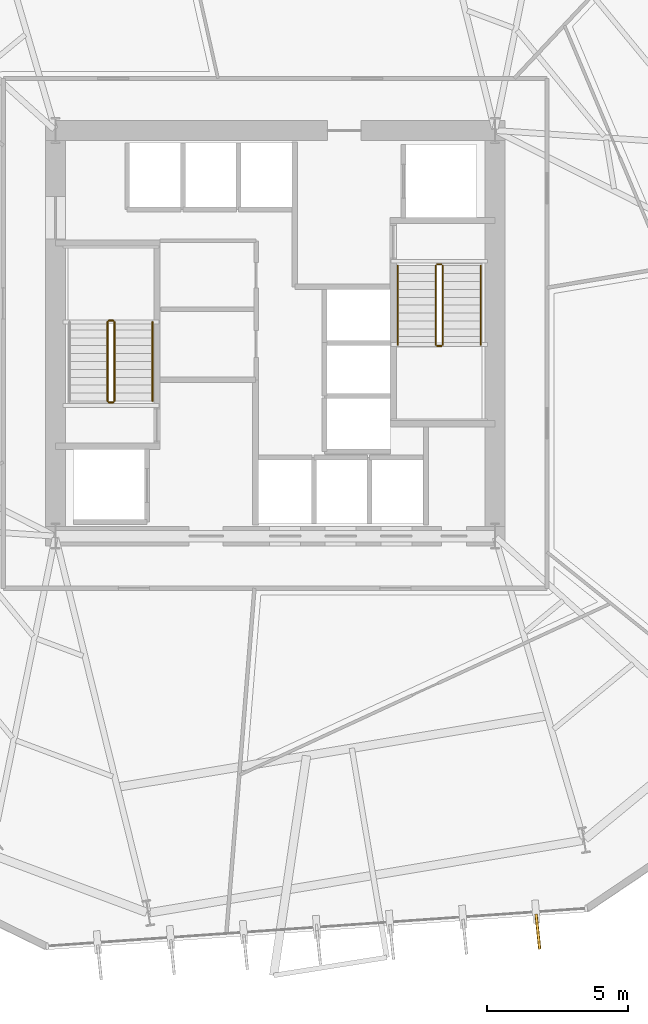
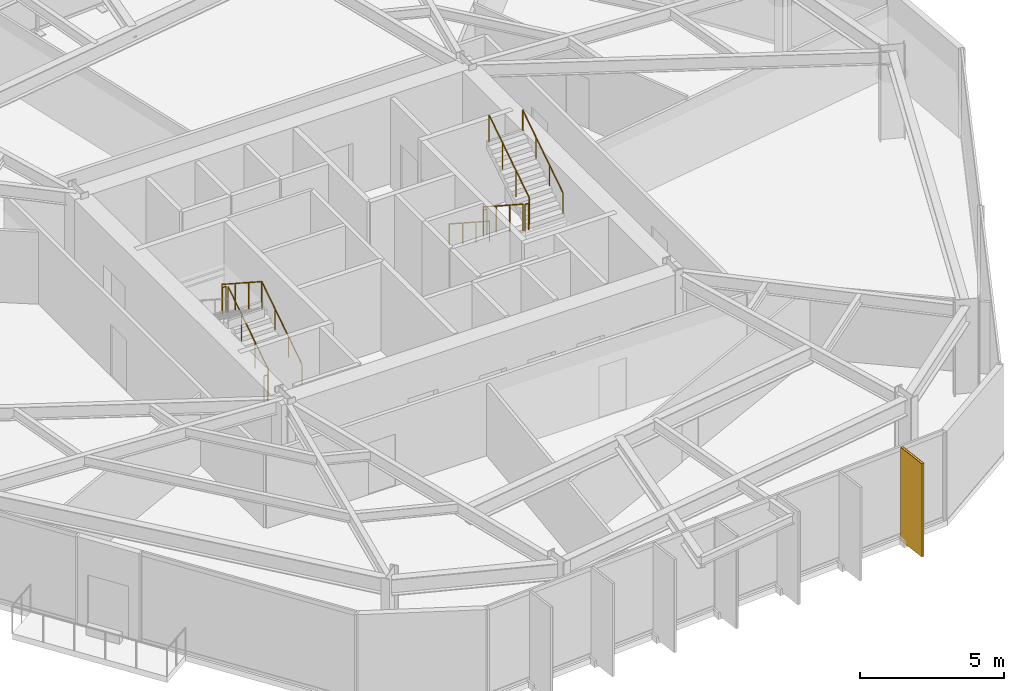
# One storey, part 9 of 10: 11 railings, 1 covering, 1 shading device.
"""IFC4 building model written with IfcOpenShell, lengths in metres."""

from ifc_helpers import new_model, si_unit, direction, frame, origin, origin_2d, place, context, subcontext, project, spatial, rectangle, circle, extrude, material, layer, layer_set, type_object, element, save


model = new_model("IFC4")

# Units and contexts
model_context = context("Model", 3, precision=1e-05, world=origin(), true_north=direction((0.0, 1.0)))
body_context = subcontext(model_context, "Body", "Model", "MODEL_VIEW")
ifc_project = project(units=[si_unit("LENGTHUNIT", "METRE"), si_unit("AREAUNIT", "SQUARE_METRE"), si_unit("VOLUMEUNIT", "CUBIC_METRE"), si_unit("PLANEANGLEUNIT", "RADIAN"), si_unit("MASSUNIT", "GRAM", prefix="KILO")], contexts=[model_context])

# Site, building, storey
site_placement = place(None, origin())
site = spatial("IfcSite", under=ifc_project, at=site_placement, CompositionType="ELEMENT")
building_placement = place(site_placement, origin())
building = spatial("IfcBuilding", under=site, at=building_placement, Name="Kranzbogen Civic Tower", CompositionType="ELEMENT")
storey_placement = place(building_placement, frame((0.0, 0.0, 36.0)))
storey = spatial("IfcBuildingStorey", under=building, at=storey_placement, Name="L08", CompositionType="ELEMENT", Elevation=36.0)

# Covering
ifc_material_1 = material(Name="Pale Anodised Aluminium", Category="aluminium")
ifc_layer = layer(ifc_material_1, 0.02490234375, Name="Pale Anodised Aluminium")
ifc_layer_set = layer_set([ifc_layer], Name="Pale Anodised Aluminium")
covering_type = type_object("IfcCoveringType", Name="Anodised Aluminium Vertical Fin Cladding 25 mm", PredefinedType="CLADDING", material=ifc_layer_set)
covering_placement = place(storey_placement, frame((34.325927734375, 3.760986328125, -0.139892578125), z_axis=(0.0, 0.0, 1.0), x_axis=(0.104059794277, -0.994571042819, 0.0)))
element("IfcCovering", 1, at=covering_placement, inside=storey, type_object=covering_type, Name="L08 vertical fin pale-metal cladding F5-7", PredefinedType="CLADDING", context=body_context, shape_type="SweptSolid", body=[
    extrude(rectangle(XDim=1.25, YDim=0.10009765625, at=origin_2d()), origin(), (0.0, 0.0, 1.0), 3.9599609375),
])

# Shading device
ifc_material_2 = material(Name="Anodised Bronze Aluminium", Category="aluminium")
shading_device_type = type_object("IfcShadingDeviceType", Name="Anodised Bronze Vertical Facade Fin 1250x80", PredefinedType="USERDEFINED", material=ifc_material_2)
shading_device_placement = place(storey_placement, frame((34.325927734375, 3.760986328125, -0.139892578125), z_axis=(0.0, 0.0, 1.0), x_axis=(0.104059794277, -0.994571042819, 0.0)))
element("IfcShadingDevice", 2, at=shading_device_placement, inside=storey, type_object=shading_device_type, Name="L08 vertical exterior shading fin F5-7", ObjectType="FIN", PredefinedType="USERDEFINED", context=body_context, shape_type="SweptSolid", body=[
    extrude(rectangle(XDim=1.25, YDim=0.080078125, at=origin_2d()), origin(), (0.0, 0.0, 1.0), 3.9599609375),
])

# Railings
ifc_material_3 = material(Name="Steel S355", Category="steel")
railing_type_1 = type_object("IfcRailingType", Name="Internal Stair and Void Steel Guardrail 1150", PredefinedType="GUARDRAIL", material=ifc_material_3)
railing_1_placement = place(storey_placement, frame((19.300048828125, 22.60009765625, 0.181884765625)))
element("IfcRailing", 3, at=railing_1_placement, inside=storey, type_object=railing_type_1, Name="L08 ST-T1 stair guard 1", PredefinedType="GUARDRAIL", context=body_context, shape_type="SweptSolid", body=[
    extrude(circle(Radius=0.02392578125, at=origin_2d()), frame((0.0, 0.0, 1.1259765625), z_axis=(0.0, 0.83868413941, 0.544618136222), x_axis=(-1.0, 0.0, 0.0)), (0.0, 0.0, 1.0), 3.33837890625),
    extrude(circle(Radius=0.02099609375, at=origin_2d()), origin(), (0.0, 0.0, 1.0), 1.101806640625),
    extrude(circle(Radius=0.02099609375, at=origin_2d()), frame((0.0, 0.933349609375, 0.60595703125)), (0.0, 0.0, 1.0), 1.101806640625),
    extrude(circle(Radius=0.02099609375, at=origin_2d()), frame((0.0, 1.866455078125, 1.212158203125)), (0.0, 0.0, 1.0), 1.101806640625),
    extrude(circle(Radius=0.02099609375, at=origin_2d()), frame((0.0, 2.7998046875, 1.818115234375)), (0.0, 0.0, 1.0), 1.101806640625),
])
railing_2_placement = place(storey_placement, frame((19.25, 25.449951171875, 2.0)))
element("IfcRailing", 4, at=railing_2_placement, inside=storey, type_object=railing_type_1, Name="L08 ST-T1 stair guard 2", PredefinedType="GUARDRAIL", context=body_context, shape_type="SweptSolid", body=[
    extrude(circle(Radius=0.02392578125, at=origin_2d()), frame((0.0, 0.0, 1.1259765625), z_axis=(-1.0, 0.0, 0.0), x_axis=(0.0, -1.0, 0.0)), (0.0, 0.0, 1.0), 0.14990234375),
    extrude(circle(Radius=0.02099609375, at=origin_2d()), origin(), (0.0, 0.0, 1.0), 1.101806640625),
    extrude(circle(Radius=0.02099609375, at=origin_2d()), frame((-0.14990234375, 0.0, 0.0)), (0.0, 0.0, 1.0), 1.101806640625),
])
railing_3_placement = place(storey_placement, frame((19.050048828125, 25.39990234375, 2.181884765625)))
element("IfcRailing", 5, at=railing_3_placement, inside=storey, type_object=railing_type_1, Name="L08 ST-T1 stair guard 3", PredefinedType="GUARDRAIL", context=body_context, shape_type="SweptSolid", body=[
    extrude(circle(Radius=0.02392578125, at=origin_2d()), frame((0.0, 0.0, 1.1259765625), z_axis=(0.0, -0.83868413941, 0.544618136222), x_axis=(1.0, 0.0, 0.0)), (0.0, 0.0, 1.0), 3.33837890625),
    extrude(circle(Radius=0.02099609375, at=origin_2d()), origin(), (0.0, 0.0, 1.0), 1.101806640625),
    extrude(circle(Radius=0.02099609375, at=origin_2d()), frame((0.0, -0.933349609375, 0.60595703125)), (0.0, 0.0, 1.0), 1.101806640625),
    extrude(circle(Radius=0.02099609375, at=origin_2d()), frame((0.0, -1.866455078125, 1.212158203125)), (0.0, 0.0, 1.0), 1.101806640625),
    extrude(circle(Radius=0.02099609375, at=origin_2d()), frame((0.0, -2.7998046875, 1.818115234375)), (0.0, 0.0, 1.0), 1.101806640625),
])
railing_4_placement = place(storey_placement, frame((19.25, 22.550048828125, 0.0)))
element("IfcRailing", 6, at=railing_4_placement, inside=storey, type_object=railing_type_1, Name="L08 ST-T1 stair guard 4", PredefinedType="GUARDRAIL", context=body_context, shape_type="SweptSolid", body=[
    extrude(circle(Radius=0.02392578125, at=origin_2d()), frame((0.0, 0.0, 1.1259765625), z_axis=(-1.0, 0.0, 0.0), x_axis=(0.0, -1.0, 0.0)), (0.0, 0.0, 1.0), 0.14990234375),
    extrude(circle(Radius=0.02099609375, at=origin_2d()), origin(), (0.0, 0.0, 1.0), 1.101806640625),
    extrude(circle(Radius=0.02099609375, at=origin_2d()), frame((-0.14990234375, 0.0, 0.0)), (0.0, 0.0, 1.0), 1.101806640625),
])
railing_5_placement = place(storey_placement, frame((30.699951171875, 27.39990234375, 0.181884765625)))
element("IfcRailing", 7, at=railing_5_placement, inside=storey, type_object=railing_type_1, Name="L08 ST-T2 stair guard 1", PredefinedType="GUARDRAIL", context=body_context, shape_type="SweptSolid", body=[
    extrude(circle(Radius=0.02392578125, at=origin_2d()), frame((0.0, 0.0, 1.1259765625), z_axis=(0.0, -0.83868413941, 0.544618136222), x_axis=(1.0, 0.0, 0.0)), (0.0, 0.0, 1.0), 3.33837890625),
    extrude(circle(Radius=0.02099609375, at=origin_2d()), origin(), (0.0, 0.0, 1.0), 1.101806640625),
    extrude(circle(Radius=0.02099609375, at=origin_2d()), frame((0.0, -0.933349609375, 0.60595703125)), (0.0, 0.0, 1.0), 1.101806640625),
    extrude(circle(Radius=0.02099609375, at=origin_2d()), frame((0.0, -1.866455078125, 1.212158203125)), (0.0, 0.0, 1.0), 1.101806640625),
    extrude(circle(Radius=0.02099609375, at=origin_2d()), frame((0.0, -2.7998046875, 1.818115234375)), (0.0, 0.0, 1.0), 1.101806640625),
])
railing_6_placement = place(storey_placement, frame((30.75, 24.550048828125, 2.0)))
element("IfcRailing", 8, at=railing_6_placement, inside=storey, type_object=railing_type_1, Name="L08 ST-T2 stair guard 2", PredefinedType="GUARDRAIL", context=body_context, shape_type="SweptSolid", body=[
    extrude(circle(Radius=0.02392578125, at=origin_2d()), frame((0.0, 0.0, 1.1259765625), z_axis=(1.0, 0.0, 0.0), x_axis=(0.0, 1.0, 0.0)), (0.0, 0.0, 1.0), 0.14990234375),
    extrude(circle(Radius=0.02099609375, at=origin_2d()), origin(), (0.0, 0.0, 1.0), 1.101806640625),
    extrude(circle(Radius=0.02099609375, at=origin_2d()), frame((0.14990234375, 0.0, 0.0)), (0.0, 0.0, 1.0), 1.101806640625),
])
railing_7_placement = place(storey_placement, frame((30.949951171875, 24.60009765625, 2.181884765625)))
element("IfcRailing", 9, at=railing_7_placement, inside=storey, type_object=railing_type_1, Name="L08 ST-T2 stair guard 3", PredefinedType="GUARDRAIL", context=body_context, shape_type="SweptSolid", body=[
    extrude(circle(Radius=0.02392578125, at=origin_2d()), frame((0.0, 0.0, 1.1259765625), z_axis=(0.0, 0.83868413941, 0.544618136222), x_axis=(-1.0, 0.0, 0.0)), (0.0, 0.0, 1.0), 3.33837890625),
    extrude(circle(Radius=0.02099609375, at=origin_2d()), origin(), (0.0, 0.0, 1.0), 1.101806640625),
    extrude(circle(Radius=0.02099609375, at=origin_2d()), frame((0.0, 0.933349609375, 0.60595703125)), (0.0, 0.0, 1.0), 1.101806640625),
    extrude(circle(Radius=0.02099609375, at=origin_2d()), frame((0.0, 1.866455078125, 1.212158203125)), (0.0, 0.0, 1.0), 1.101806640625),
    extrude(circle(Radius=0.02099609375, at=origin_2d()), frame((0.0, 2.7998046875, 1.818115234375)), (0.0, 0.0, 1.0), 1.101806640625),
])
railing_8_placement = place(storey_placement, frame((30.75, 27.449951171875, 0.0)))
element("IfcRailing", 10, at=railing_8_placement, inside=storey, type_object=railing_type_1, Name="L08 ST-T2 stair guard 4", PredefinedType="GUARDRAIL", context=body_context, shape_type="SweptSolid", body=[
    extrude(circle(Radius=0.02392578125, at=origin_2d()), frame((0.0, 0.0, 1.1259765625), z_axis=(1.0, 0.0, 0.0), x_axis=(0.0, 1.0, 0.0)), (0.0, 0.0, 1.0), 0.14990234375),
    extrude(circle(Radius=0.02099609375, at=origin_2d()), origin(), (0.0, 0.0, 1.0), 1.101806640625),
    extrude(circle(Radius=0.02099609375, at=origin_2d()), frame((0.14990234375, 0.0, 0.0)), (0.0, 0.0, 1.0), 1.101806640625),
])
railing_type_2 = type_object("IfcRailingType", Name="Tubular Stainless Stair Wall Handrail 900", PredefinedType="HANDRAIL", material=ifc_material_1)
railing_9_placement = place(storey_placement, frame((20.64990234375, 22.60009765625, 0.181884765625)))
element("IfcRailing", 11, at=railing_9_placement, inside=storey, type_object=railing_type_2, Name="L08 ST-T1 stair handrail 1", PredefinedType="HANDRAIL", context=body_context, shape_type="SweptSolid", body=[
    extrude(circle(Radius=0.02392578125, at=origin_2d()), frame((0.0, 0.0, 0.8759765625), z_axis=(0.0, 0.83868413941, 0.544618136222), x_axis=(-1.0, 0.0, 0.0)), (0.0, 0.0, 1.0), 3.33837890625),
    extrude(circle(Radius=0.02099609375, at=origin_2d()), origin(), (0.0, 0.0, 1.0), 0.851806640625),
    extrude(circle(Radius=0.02099609375, at=origin_2d()), frame((0.0, 0.933349609375, 0.60595703125)), (0.0, 0.0, 1.0), 0.851806640625),
    extrude(circle(Radius=0.02099609375, at=origin_2d()), frame((0.0, 1.866455078125, 1.212158203125)), (0.0, 0.0, 1.0), 0.851806640625),
    extrude(circle(Radius=0.02099609375, at=origin_2d()), frame((0.0, 2.7998046875, 1.818115234375)), (0.0, 0.0, 1.0), 0.851806640625),
])
railing_10_placement = place(storey_placement, frame((29.35009765625, 27.39990234375, 0.181884765625)))
element("IfcRailing", 12, at=railing_10_placement, inside=storey, type_object=railing_type_2, Name="L08 ST-T2 stair handrail 1", PredefinedType="HANDRAIL", context=body_context, shape_type="SweptSolid", body=[
    extrude(circle(Radius=0.02392578125, at=origin_2d()), frame((0.0, 0.0, 0.8759765625), z_axis=(0.0, -0.83868413941, 0.544618136222), x_axis=(1.0, 0.0, 0.0)), (0.0, 0.0, 1.0), 3.33837890625),
    extrude(circle(Radius=0.02099609375, at=origin_2d()), origin(), (0.0, 0.0, 1.0), 0.851806640625),
    extrude(circle(Radius=0.02099609375, at=origin_2d()), frame((0.0, -0.933349609375, 0.60595703125)), (0.0, 0.0, 1.0), 0.851806640625),
    extrude(circle(Radius=0.02099609375, at=origin_2d()), frame((0.0, -1.866455078125, 1.212158203125)), (0.0, 0.0, 1.0), 0.851806640625),
    extrude(circle(Radius=0.02099609375, at=origin_2d()), frame((0.0, -2.7998046875, 1.818115234375)), (0.0, 0.0, 1.0), 0.851806640625),
])
railing_11_placement = place(storey_placement, frame((32.300048828125, 24.60009765625, 2.181884765625)))
element("IfcRailing", 13, at=railing_11_placement, inside=storey, type_object=railing_type_2, Name="L08 ST-T2 stair handrail 2", PredefinedType="HANDRAIL", context=body_context, shape_type="SweptSolid", body=[
    extrude(circle(Radius=0.02392578125, at=origin_2d()), frame((0.0, 0.0, 0.8759765625), z_axis=(0.0, 0.83868413941, 0.544618136222), x_axis=(-1.0, 0.0, 0.0)), (0.0, 0.0, 1.0), 3.33837890625),
    extrude(circle(Radius=0.02099609375, at=origin_2d()), origin(), (0.0, 0.0, 1.0), 0.851806640625),
    extrude(circle(Radius=0.02099609375, at=origin_2d()), frame((0.0, 0.933349609375, 0.60595703125)), (0.0, 0.0, 1.0), 0.851806640625),
    extrude(circle(Radius=0.02099609375, at=origin_2d()), frame((0.0, 1.866455078125, 1.212158203125)), (0.0, 0.0, 1.0), 0.851806640625),
    extrude(circle(Radius=0.02099609375, at=origin_2d()), frame((0.0, 2.7998046875, 1.818115234375)), (0.0, 0.0, 1.0), 0.851806640625),
])

save(model, "model.ifc")
